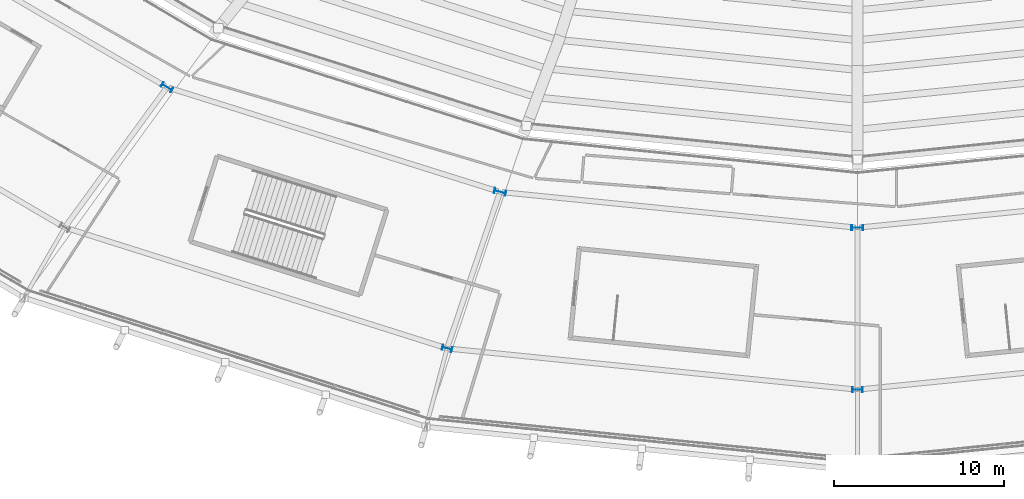
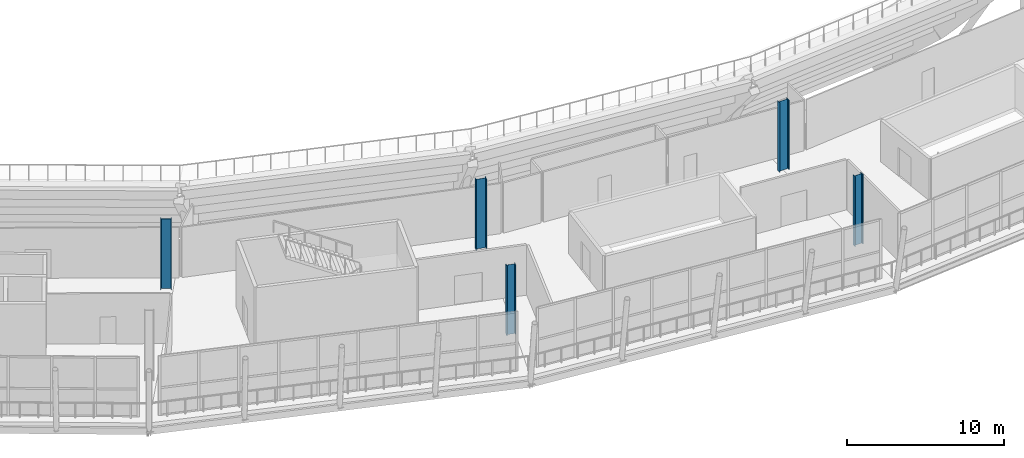
# One storey, part 4 of 126: 5 columns.
"""IFC4 building model written with IfcOpenShell, lengths in metres."""

import ifcopenshell
import ifcopenshell.guid

model = None  # the IFC model being written
_history = None  # IfcOwnerHistory: only IFC2X3 demands one
_inside = {}  # id of a spatial element -> (the spatial element, [elements in it])
_under = {}  # id of a project, library or spatial element -> (it, [spatial elements below it])
_declared = {}  # id of a project -> (the project, [libraries it declares])
_typed = {}  # id of a type object -> (the type object, [elements of that type])
_made_of = {}  # id of a material, layer set ... -> (it, [elements and type objects made of it])


def new_model(schema):
    """Start an empty IFC model of exactly this schema.

    Asked for "IFC4X3", IfcOpenShell would pick the latest addendum, in which some entities
    have other attributes; the version numbers below select the first issue.
    IFC2X3 requires an IfcOwnerHistory on every rooted entity: one is made here for all.
    """
    global model, _history
    if schema == "IFC4X3":
        model = ifcopenshell.file(schema_version=(4, 3, 0, 0))
    else:
        model = ifcopenshell.file(schema=schema)
    _inside.clear()
    _under.clear()
    _declared.clear()
    _typed.clear()
    _made_of.clear()
    _history = None
    if model.schema == "IFC2X3":
        org = make("IfcOrganization", Name="unknown")
        user = make(
            "IfcPersonAndOrganization",
            ThePerson=make("IfcPerson", FamilyName="unknown"),
            TheOrganization=org,
        )
        app = make(
            "IfcApplication",
            ApplicationDeveloper=org,
            Version="unknown",
            ApplicationFullName="unknown",
            ApplicationIdentifier="unknown",
        )
        _history = make(
            "IfcOwnerHistory",
            OwningUser=user,
            OwningApplication=app,
            ChangeAction="ADDED",
            CreationDate=0,
        )
    return model


def make(cls, **values):
    """One entity of the class cls with the attributes given. An attribute that is None is left unset."""
    return model.create_entity(
        cls, **{name: value for name, value in values.items() if value is not None}
    )


def rooted(cls, **values):
    """An entity with a GlobalId (a new one), such as an element, a storey or a relation."""
    return make(cls, GlobalId=ifcopenshell.guid.new(), OwnerHistory=_history, **values)


def si_unit(unit_type, name, prefix=None):
    """IfcSIUnit, for example si_unit("LENGTHUNIT", "METRE", prefix="MILLI")."""
    return make("IfcSIUnit", UnitType=unit_type, Prefix=prefix, Name=name)


def assignment(units):
    """IfcUnitAssignment: the units of a project."""
    return None if units is None else make("IfcUnitAssignment", Units=units)


def point(xyz):
    """IfcCartesianPoint."""
    return None if xyz is None else make("IfcCartesianPoint", Coordinates=xyz)


def direction(xyz):
    """IfcDirection."""
    return None if xyz is None else make("IfcDirection", DirectionRatios=xyz)


def frame(location, z_axis=None, x_axis=None):
    """IfcAxis2Placement3D, a coordinate frame: its origin and axes. An axis left out is left unset."""
    return make(
        "IfcAxis2Placement3D",
        Location=point(location),
        Axis=direction(z_axis),
        RefDirection=direction(x_axis),
    )


def frame_2d(location, x_axis=None):
    """IfcAxis2Placement2D, a coordinate frame in the plane: its origin and x axis."""
    return make(
        "IfcAxis2Placement2D", Location=point(location), RefDirection=direction(x_axis)
    )


def origin():
    """The frame at (0, 0, 0) with its axes left unset."""
    return frame((0.0, 0.0, 0.0))


def origin_2d():
    """The frame at (0, 0) in the plane with its x axis left unset."""
    return frame_2d((0.0, 0.0))


def place(relative_to, where):
    """IfcLocalPlacement: puts the frame where relative to a parent placement (None: the world)."""
    return make(
        "IfcLocalPlacement", PlacementRelTo=relative_to, RelativePlacement=where
    )


def context(
    kind, dimensions, precision=None, world=None, true_north=None, identifier=None
):
    """IfcGeometricRepresentationContext, for example the 3D "Model" context."""
    return make(
        "IfcGeometricRepresentationContext",
        ContextIdentifier=identifier,
        ContextType=kind,
        CoordinateSpaceDimension=dimensions,
        Precision=precision,
        WorldCoordinateSystem=world,
        TrueNorth=true_north,
    )


def subcontext(parent, identifier, kind, view, scale=None):
    """IfcGeometricRepresentationSubContext, for example "Body" below "Model"."""
    return make(
        "IfcGeometricRepresentationSubContext",
        ContextIdentifier=identifier,
        ContextType=kind,
        ParentContext=parent,
        TargetScale=scale,
        TargetView=view,
    )


def project(units=None, contexts=None):
    """IfcProject with its units and contexts."""
    return rooted(
        "IfcProject",
        Name="project",
        RepresentationContexts=contexts,
        UnitsInContext=assignment(units),
    )


def spatial(cls, under=None, at=None, **own):
    """A site, building, storey or space (cls), placed at a placement, below another one or the project."""
    s = rooted(cls, ObjectPlacement=at, **own)
    if under is not None:
        _under.setdefault(under.id(), (under, []))[1].append(s)
    return s


def profile(cls, at=None, kind="AREA", **sizes):
    """A parametric profile (cls). Its sizes go by their IFC names, for example OverallWidth=200.0."""
    return make(cls, ProfileType=kind, Position=at, **sizes)


def i_section(**sizes):
    """IfcIShapeProfileDef."""
    return profile("IfcIShapeProfileDef", **sizes)


def extrude(swept, where, along, depth):
    """IfcExtrudedAreaSolid: the profile swept, set in the frame where, extruded along a direction by depth."""
    return make(
        "IfcExtrudedAreaSolid",
        SweptArea=swept,
        Position=where,
        ExtrudedDirection=direction(along),
        Depth=depth,
    )


def shape(context_of_items, identifier, shape_type, items):
    """IfcShapeRepresentation: the items that make up one representation, for example the "Body"."""
    return make(
        "IfcShapeRepresentation",
        ContextOfItems=context_of_items,
        RepresentationIdentifier=identifier,
        RepresentationType=shape_type,
        Items=items,
    )


def material(Name=None, Category=None):
    """IfcMaterial."""
    return make("IfcMaterial", Name=Name, Category=Category)


def material_profile(
    of_material, cross_section, Name=None, Category=None, Priority=None
):
    """IfcMaterialProfile: a cross section and its material."""
    return make(
        "IfcMaterialProfile",
        Name=Name,
        Material=of_material,
        Profile=cross_section,
        Priority=Priority,
        Category=Category,
    )


def profile_set(profiles, Name=None, composite=None):
    """IfcMaterialProfileSet."""
    return make(
        "IfcMaterialProfileSet",
        Name=Name,
        MaterialProfiles=profiles,
        CompositeProfile=composite,
    )


def made_of(thing, what):
    """Note that an element or type object is made of a material, layer set ...; save() writes the relation."""
    if what is not None:
        _made_of.setdefault(what.id(), (what, []))[1].append(thing)
    return thing


def type_object(cls, material=None, **own):
    """A type object (cls), such as IfcWallType, which elements share."""
    return made_of(rooted(cls, **own), material)


def element(
    cls,
    number,
    at=None,
    inside=None,
    cuts=None,
    type_object=None,
    material=None,
    context=None,
    identifier="Body",
    shape_type=None,
    held_by="IfcProductDefinitionShape",
    body=None,
    shapes=None,
    **own,
):
    """One element of the class cls, such as IfcWall. Its Tag is "e" and its number.

    at: its placement. inside: the storey or other place that contains it. cuts: it is an
    opening in that element (IfcRelVoidsElement). A single representation is given by context,
    identifier, shape_type and body (its items); several are given by shapes. held_by: the class
    of the entity that holds the representations. save() writes the other relations.
    """
    e = rooted(cls, Tag="e%d" % number, ObjectPlacement=at, **own)
    if body is not None:
        shapes = [shape(context, identifier, shape_type, body)]
    if shapes is not None:
        e.Representation = make(held_by, Representations=shapes)
    if inside is not None:
        _inside.setdefault(inside.id(), (inside, []))[1].append(e)
    if cuts is not None:
        rooted(
            "IfcRelVoidsElement", RelatingBuildingElement=cuts, RelatedOpeningElement=e
        )
    if type_object is not None:
        _typed.setdefault(type_object.id(), (type_object, []))[1].append(e)
    return made_of(e, material)


def aggregate(whole, parts):
    """IfcRelAggregates: a whole, such as a stair, and the parts it consists of."""
    return rooted("IfcRelAggregates", RelatingObject=whole, RelatedObjects=parts)


def save(model, path):
    """Write the relations noted so far, then the file.

    IfcRelAggregates (storeys below a building ...), IfcRelContainedInSpatialStructure (elements
    in a storey), IfcRelDefinesByType, IfcRelAssociatesMaterial and IfcRelDeclares: one each for
    every whole, place, type object, material and project.
    """
    for whole, parts in _under.values():
        aggregate(whole, parts)
    for where, things in _inside.values():
        rooted(
            "IfcRelContainedInSpatialStructure",
            RelatedElements=things,
            RelatingStructure=where,
        )
    for kind, things in _typed.values():
        rooted("IfcRelDefinesByType", RelatedObjects=things, RelatingType=kind)
    for what, things in _made_of.values():
        rooted("IfcRelAssociatesMaterial", RelatedObjects=things, RelatingMaterial=what)
    for by, libraries in _declared.values():
        rooted("IfcRelDeclares", RelatingContext=by, RelatedDefinitions=libraries)
    model.write(path)


model = new_model("IFC4")

# Units and contexts
model_context = context("Model", 3, precision=1e-05, world=origin(), true_north=direction((0.0, 1.0)))
body_context = subcontext(model_context, "Body", "Model", "MODEL_VIEW")
ifc_project = project(units=[si_unit("LENGTHUNIT", "METRE"), si_unit("AREAUNIT", "SQUARE_METRE"), si_unit("VOLUMEUNIT", "CUBIC_METRE"), si_unit("PLANEANGLEUNIT", "RADIAN"), si_unit("MASSUNIT", "GRAM", prefix="KILO")], contexts=[model_context])

# Site, building, storey
site_placement = place(None, origin())
site = spatial("IfcSite", under=ifc_project, at=site_placement, CompositionType="ELEMENT")
building_placement = place(site_placement, origin())
building = spatial("IfcBuilding", under=site, at=building_placement, Name="Zlatoyarsky Gate Stadium", CompositionType="ELEMENT")
storey_placement = place(building_placement, frame((0.0, 0.0, 20.800048828125)))
storey = spatial("IfcBuildingStorey", under=building, at=storey_placement, Name="L04", CompositionType="ELEMENT", Elevation=20.800048828125)

# Columns
ifc_material = material(Name="Steel S355", Category="steel")
ifc_material_profile_1 = material_profile(ifc_material, i_section(OverallWidth=0.300048828125, OverallDepth=0.60009765625, WebThickness=0.015380859375, FlangeThickness=0.030029296875, FilletRadius=0.027099609375, at=origin_2d()), Name="HEB 600")
ifc_profile_set_1 = profile_set([ifc_material_profile_1], Name="Steel S355")
column_type_1 = type_object("IfcColumnType", Name="STEEL COLUMN HEB 600", PredefinedType="COLUMN", material=ifc_profile_set_1)
for number, where, z_axis, x_axis, name in (
    (1, (86.9296875, 11.419189453125, 0.0), (0.0, 0.0, 1.0), (-0.258819045103, -0.965925826289, 0.0), "Column ST-C600 RC-17 on L04"),
    (2, (111.0, 9.0, 0.0), (0.0, 0.0, 1.0), (0.0, -1.0, 0.0), "Column ST-C600 RC-18 on L04"),
):
    element("IfcColumn", number, at=place(storey_placement, frame(where, z_axis=z_axis, x_axis=x_axis)), inside=storey, type_object=column_type_1, Name=name, PredefinedType="COLUMN", context=body_context, shape_type="SweptSolid", body=[
        extrude(i_section(OverallWidth=0.300048828125, OverallDepth=0.60009765625, WebThickness=0.015380859375, FlangeThickness=0.030029296875, FilletRadius=0.027099609375, at=origin_2d()), origin(), (0.0, 0.0, 1.0), 5.39990234375),
    ])
ifc_material_profile_2 = material_profile(ifc_material, i_section(OverallWidth=0.300048828125, OverallDepth=0.699951171875, WebThickness=0.01708984375, FlangeThickness=0.031982421875, FilletRadius=0.027099609375, at=origin_2d()), Name="HEB 700")
ifc_profile_set_2 = profile_set([ifc_material_profile_2], Name="Steel S355")
column_type_2 = type_object("IfcColumnType", Name="STEEL COLUMN HEB 700", PredefinedType="COLUMN", material=ifc_profile_set_2)
for number, where, z_axis, x_axis, name in (
    (3, (70.5, 26.739501953125, 0.0), (0.0, 0.0, 1.0), (-0.5, -0.866025403784, 0.0), "Column ST-C700 RB-16 on L04"),
    (4, (90.03564453125, 20.595703125, 0.0), (0.0, 0.0, 1.0), (-0.258819045103, -0.965925826289, 0.0), "Column ST-C700 RB-17 on L04"),
    (5, (111.0, 18.5, 0.0), (0.0, 0.0, 1.0), (0.0, -1.0, 0.0), "Column ST-C700 RB-18 on L04"),
):
    element("IfcColumn", number, at=place(storey_placement, frame(where, z_axis=z_axis, x_axis=x_axis)), inside=storey, type_object=column_type_2, Name=name, PredefinedType="COLUMN", context=body_context, shape_type="SweptSolid", body=[
        extrude(i_section(OverallWidth=0.300048828125, OverallDepth=0.699951171875, WebThickness=0.01708984375, FlangeThickness=0.031982421875, FilletRadius=0.027099609375, at=origin_2d()), origin(), (0.0, 0.0, 1.0), 5.39990234375),
    ])

save(model, "model.ifc")
